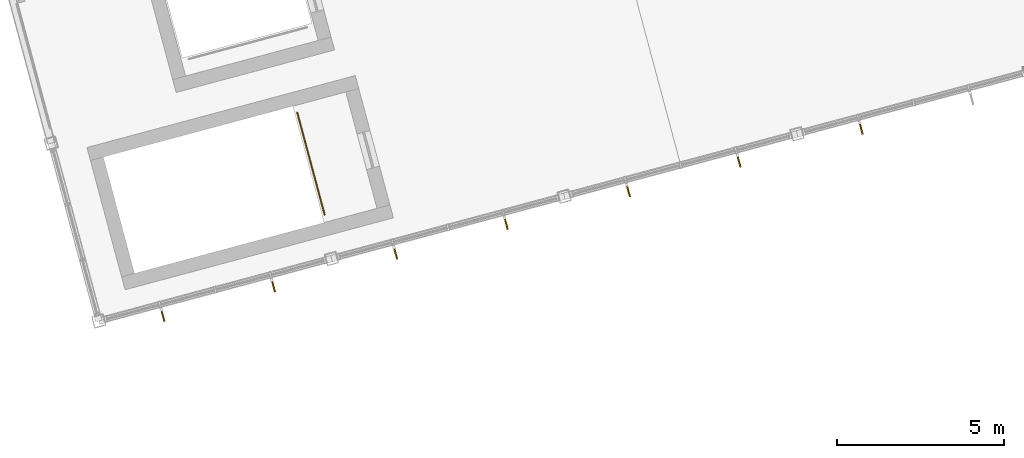
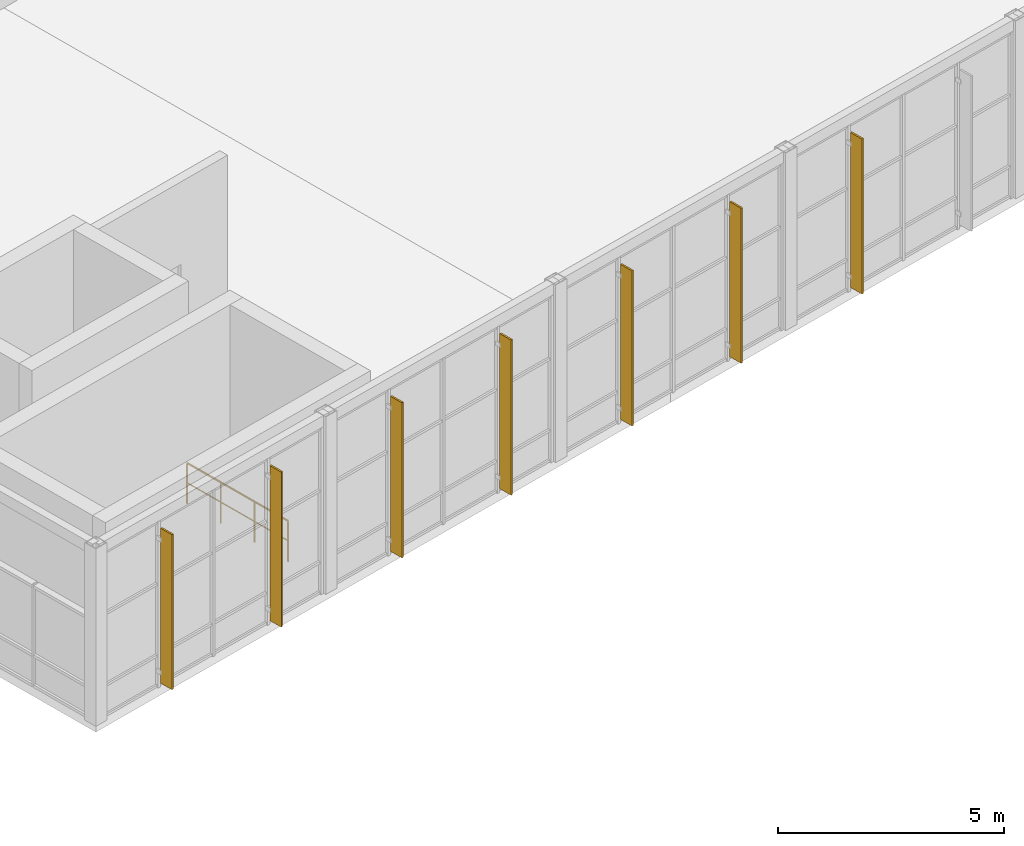
# One storey, part 94 of 99: 7 shading devices, 1 railing.
"""IFC4 building model written with IfcOpenShell, lengths in metres."""

from ifc_helpers import new_model, si_unit, direction, frame, origin, origin_2d, place, context, subcontext, project, spatial, rectangle, circle, extrude, material, type_object, element, save


model = new_model("IFC4")

# Units and contexts
model_context = context("Model", 3, precision=1e-05, world=origin(), true_north=direction((0.0, 1.0)))
body_context = subcontext(model_context, "Body", "Model", "MODEL_VIEW")
ifc_project = project(units=[si_unit("LENGTHUNIT", "METRE"), si_unit("AREAUNIT", "SQUARE_METRE"), si_unit("VOLUMEUNIT", "CUBIC_METRE"), si_unit("PLANEANGLEUNIT", "RADIAN"), si_unit("MASSUNIT", "GRAM", prefix="KILO")], contexts=[model_context])

# Site, building, storey
site_placement = place(None, origin())
site = spatial("IfcSite", under=ifc_project, at=site_placement, CompositionType="ELEMENT")
building_placement = place(site_placement, origin())
building = spatial("IfcBuilding", under=site, at=building_placement, Name="Ventoquebrada Cableway Terminal", CompositionType="ELEMENT")
storey_placement = place(building_placement, frame((0.0, 0.0, 9.60009765625)))
storey = spatial("IfcBuildingStorey", under=building, at=storey_placement, Name="L02", CompositionType="ELEMENT", Elevation=9.60009765625)

# Railing
ifc_material_1 = material(Name="Brushed stainless steel Grade 316", Category="steel")
railing_type = type_object("IfcRailingType", Name="RL-GD01", PredefinedType="GUARDRAIL", material=ifc_material_1)
railing_placement = place(storey_placement, frame((58.72607421875, 72.958984375, 0.0)))
element("IfcRailing", 1, at=railing_placement, inside=storey, type_object=railing_type, Name="Open-edge guardrail GR-E113", PredefinedType="GUARDRAIL", context=body_context, shape_type="SweptSolid", body=[
    extrude(circle(Radius=0.02392578125, at=origin_2d()), frame((-0.00048828125, 0.001953125, 1.09619140625), z_axis=(-0.258840330354, 0.965920122672, 0.0), x_axis=(-0.965920122672, -0.258840330354, 0.0)), (0.0, 0.0, 1.0), 3.15673828125),
    extrude(circle(Radius=0.01611328125, at=origin_2d()), frame((-0.00048828125, 0.001953125, 0.56005859375), z_axis=(-0.258840330354, 0.965920122672, 0.0), x_axis=(-0.965920122672, -0.258840330354, 0.0)), (0.0, 0.0, 1.0), 3.15673828125),
    extrude(circle(Radius=0.02099609375, at=origin_2d()), origin(), (0.0, 0.0, 1.0), 1.072021484375),
    extrude(circle(Radius=0.02099609375, at=origin_2d()), frame((-0.272705078125, 1.017578125, 0.0)), (0.0, 0.0, 1.0), 1.072021484375),
    extrude(circle(Radius=0.02099609375, at=origin_2d()), frame((-0.54541015625, 2.035400390625, 0.0)), (0.0, 0.0, 1.0), 1.072021484375),
    extrude(circle(Radius=0.02099609375, at=origin_2d()), frame((-0.818115234375, 3.052978515625, 0.0)), (0.0, 0.0, 1.0), 1.072021484375),
])

# Shading devices
ifc_material_2 = material(Name="Anodized thermally-broken aluminium", Category="aluminium")
shading_device_type = type_object("IfcShadingDeviceType", Name="SHD-AW1", PredefinedType="AWNING", material=ifc_material_2)
for number, where, z_axis, x_axis, name in (
    (2, (53.89208984375, 69.945068359375, 0.14990234375), (0.0, 0.0, 1.0), (0.965939376699, 0.25876846899, 0.0), "Extruded aluminium sunshade fin FN-072"),
    (3, (57.195068359375, 70.8310546875, 0.14990234375), (0.0, 0.0, 1.0), (0.965939376699, 0.25876846899, 0.0), "Extruded aluminium sunshade fin FN-073"),
    (4, (60.845947265625, 71.80908203125, 0.14990234375), (0.0, 0.0, 1.0), (0.965966469573, 0.258667314636, 0.0), "Extruded aluminium sunshade fin FN-074"),
    (5, (64.14892578125, 72.694091796875, 0.14990234375), (0.0, 0.0, 1.0), (0.965966469573, 0.258667314636, 0.0), "Extruded aluminium sunshade fin FN-075"),
    (6, (67.801025390625, 73.673095703125, 0.14990234375), (0.0, 0.0, 1.0), (0.965939376699, 0.25876846899, 0.0), "Extruded aluminium sunshade fin FN-076"),
    (7, (71.10400390625, 74.55810546875, 0.14990234375), (0.0, 0.0, 1.0), (0.965939376699, 0.25876846899, 0.0), "Extruded aluminium sunshade fin FN-077"),
    (8, (74.756103515625, 75.535888671875, 0.14990234375), (0.0, 0.0, 1.0), (0.965975498177, 0.258633595888, 0.0), "Extruded aluminium sunshade fin FN-078"),
):
    element("IfcShadingDevice", number, at=place(storey_placement, frame(where, z_axis=z_axis, x_axis=x_axis)), inside=storey, type_object=shading_device_type, Name=name, PredefinedType="AWNING", context=body_context, shape_type="SweptSolid", body=[
        extrude(rectangle(XDim=0.044921875, YDim=0.360107421875, at=origin_2d()), origin(), (0.0, 0.0, 1.0), 4.18994140625),
    ])

save(model, "model.ifc")
